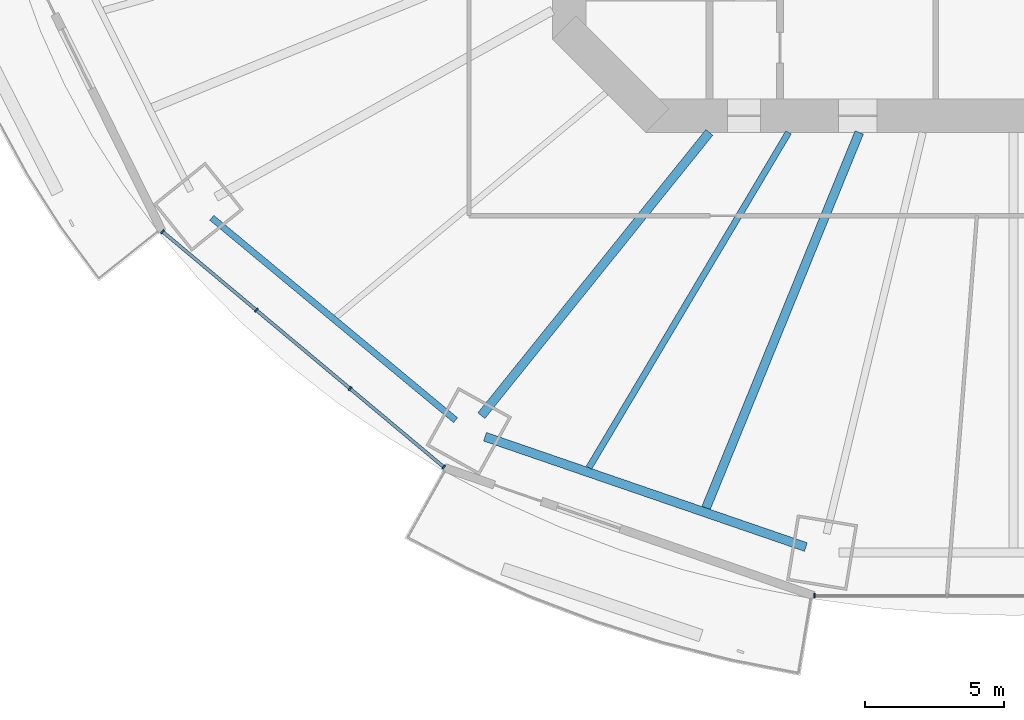
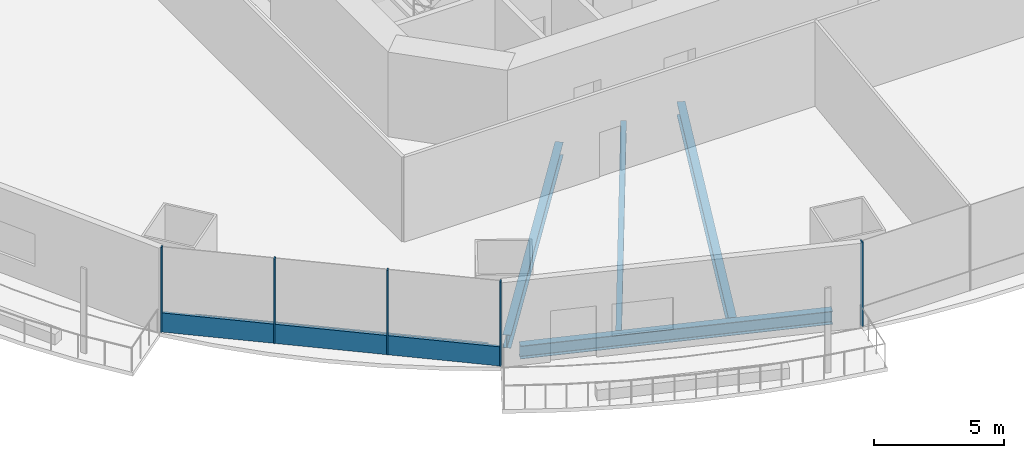
# One storey, part 2 of 23: 6 members, 5 beams, 2 elements without a shape of their own.
"""IFC4 building model written with IfcOpenShell, lengths in metres."""

from ifc_helpers import new_model, si_unit, direction, frame, origin, origin_2d, place, context, subcontext, project, spatial, rectangle, i_section, extrude, material, material_profile, profile_set, type_object, element, aggregate, save


model = new_model("IFC4")

# Units and contexts
model_context = context("Model", 3, precision=1e-05, world=origin(), true_north=direction((0.0, 1.0)))
body_context = subcontext(model_context, "Body", "Model", "MODEL_VIEW")
ifc_project = project(units=[si_unit("LENGTHUNIT", "METRE"), si_unit("AREAUNIT", "SQUARE_METRE"), si_unit("VOLUMEUNIT", "CUBIC_METRE"), si_unit("PLANEANGLEUNIT", "RADIAN"), si_unit("MASSUNIT", "GRAM", prefix="KILO")], contexts=[model_context])

# Site, building, storey
site_placement = place(None, origin())
site = spatial("IfcSite", under=ifc_project, at=site_placement, CompositionType="ELEMENT")
building_placement = place(site_placement, origin())
building = spatial("IfcBuilding", under=site, at=building_placement, Name="Marenthal Gate Tower", CompositionType="ELEMENT")
storey_placement = place(building_placement, frame((0.0, 0.0, 37.14990234375)))
storey = spatial("IfcBuildingStorey", under=building, at=storey_placement, Name="L05", CompositionType="ELEMENT", Elevation=37.14990234375)

# Curtain wall, members
ifc_material_1 = material(Name="Aluminium and glass", Category="aluminium")
curtain_wall_type = type_object("IfcCurtainWallType", Name="Curtain wall typical low", PredefinedType="NOTDEFINED", material=ifc_material_1)
curtain_wall_1_placement = place(storey_placement, origin())
curtain_wall_1 = element("IfcCurtainWall", 1, at=curtain_wall_1_placement, inside=storey, type_object=curtain_wall_type, Name="Curtain wall L05 bay 10", PredefinedType="NOTDEFINED")
ifc_material_2 = material(Name="Aluminium", Category="aluminium")
ifc_material_profile_1 = material_profile(ifc_material_2, rectangle(XDim=0.159912109375, YDim=0.06005859375, at=origin_2d()), Name="60x160 aluminium mullion")
ifc_profile_set_1 = profile_set([ifc_material_profile_1], Name="Aluminium")
member_type_1 = type_object("IfcMemberType", Name="Mullion 60x160 typical low", PredefinedType="MULLION", material=ifc_profile_set_1)
member_1_placement = place(storey_placement, frame((-30.6416015625, -17.17529296875, 0.0), z_axis=(0.0, 0.0, 1.0), x_axis=(0.641982192245, 0.76671954771, 0.0)))
member_1 = element("IfcMember", 2, at=member_1_placement, type_object=member_type_1, Name="Mullion L05 bay 10.1", PredefinedType="MULLION", context=body_context, shape_type="SweptSolid", body=[
    extrude(rectangle(XDim=0.159912109375, YDim=0.06005859375, at=origin_2d()), origin(), (0.0, 0.0, 1.0), 3.97021484375),
])
member_2_placement = place(storey_placement, frame((-27.26513671875, -20.00244140625, 0.0), z_axis=(0.0, 0.0, 1.0), x_axis=(0.641982192245, 0.76671954771, 0.0)))
member_2 = element("IfcMember", 3, at=member_2_placement, type_object=member_type_1, Name="Mullion L05 bay 10.2", PredefinedType="MULLION", context=body_context, shape_type="SweptSolid", body=[
    extrude(rectangle(XDim=0.159912109375, YDim=0.06005859375, at=origin_2d()), origin(), (0.0, 0.0, 1.0), 3.97021484375),
])
member_3_placement = place(storey_placement, frame((-23.888671875, -22.829345703125, 0.0), z_axis=(0.0, 0.0, 1.0), x_axis=(0.641982192245, 0.76671954771, 0.0)))
member_3 = element("IfcMember", 4, at=member_3_placement, type_object=member_type_1, Name="Mullion L05 bay 10.3", PredefinedType="MULLION", context=body_context, shape_type="SweptSolid", body=[
    extrude(rectangle(XDim=0.159912109375, YDim=0.06005859375, at=origin_2d()), origin(), (0.0, 0.0, 1.0), 3.97021484375),
])
member_4_placement = place(storey_placement, frame((-20.512451171875, -25.656494140625, 0.0), z_axis=(0.0, 0.0, 1.0), x_axis=(0.641982192245, 0.76671954771, 0.0)))
member_4 = element("IfcMember", 5, at=member_4_placement, type_object=member_type_1, Name="Mullion L05 bay 10.4", PredefinedType="MULLION", context=body_context, shape_type="SweptSolid", body=[
    extrude(rectangle(XDim=0.159912109375, YDim=0.06005859375, at=origin_2d()), origin(), (0.0, 0.0, 1.0), 3.97021484375),
])

# Curtain wall, member
curtain_wall_2_placement = place(storey_placement, origin())
curtain_wall_2 = element("IfcCurtainWall", 6, at=curtain_wall_2_placement, inside=storey, type_object=curtain_wall_type, Name="Curtain wall L05 bay 12", PredefinedType="NOTDEFINED")
member_5_placement = place(storey_placement, frame((-7.164794921875, -30.28662109375, 0.0), z_axis=(0.0, 0.0, 1.0), x_axis=(0.0, 1.0, 0.0)))
member_5 = element("IfcMember", 7, at=member_5_placement, type_object=member_type_1, Name="Mullion L05 bay 12.1", PredefinedType="MULLION", context=body_context, shape_type="SweptSolid", body=[
    extrude(rectangle(XDim=0.159912109375, YDim=0.06005859375, at=origin_2d()), origin(), (0.0, 0.0, 1.0), 3.97021484375),
])
aggregate(curtain_wall_2, [member_5])

# Member
ifc_material_3 = material(Name="Aluminium", Category="aluminium")
ifc_material_profile_2 = material_profile(ifc_material_3, rectangle(XDim=0.1201171875, YDim=0.89990234375, at=origin_2d()), Name="120x900 aluminium transom")
ifc_profile_set_2 = profile_set([ifc_material_profile_2], Name="Aluminium")
member_type_2 = type_object("IfcMemberType", Name="Transom 120x900 typical low", PredefinedType="USERDEFINED", material=ifc_profile_set_2)
member_6_placement = place(storey_placement, frame((-30.61865234375, -17.194580078125, 0.4501953125), z_axis=(0.766726434385, -0.641973967397, 0.0), x_axis=(0.641973967397, 0.766726434385, 0.0)))
member_6 = element("IfcMember", 8, at=member_6_placement, type_object=member_type_2, Name="Transom L05 bay 10", ObjectType="TRANSOM", PredefinedType="USERDEFINED", context=body_context, shape_type="SweptSolid", body=[
    extrude(rectangle(XDim=0.1201171875, YDim=0.89990234375, at=origin_2d()), origin(), (0.0, 0.0, 1.0), 13.151123046875),
])

aggregate(curtain_wall_1, [member_1, member_2, member_3, member_4, member_6])

# Beams
ifc_material_4 = material(Name="Steel S355", Category="steel")
ifc_material_profile_3 = material_profile(ifc_material_4, i_section(OverallWidth=0.22900390625, OverallDepth=0.612060546875, WebThickness=0.011962890625, FlangeThickness=0.01953125, FilletRadius=0.0126953125, at=origin_2d()), Name="W610X125")
ifc_profile_set_3 = profile_set([ifc_material_profile_3], Name="Steel S355")
beam_type_1 = type_object("IfcBeamType", Name="W610X125 beam", PredefinedType="BEAM", material=ifc_profile_set_3)
beam_1_placement = place(storey_placement, frame((-15.28515625, -25.677734375, -0.48583984375), z_axis=(0.511504014048, 0.859280887494, 0.0), x_axis=(-0.859280887494, 0.511504014048, 0.0)))
element("IfcBeam", 9, at=beam_1_placement, inside=storey, type_object=beam_type_1, Name="BM-L05-32", PredefinedType="BEAM", context=body_context, shape_type="SweptSolid", body=[
    extrude(i_section(OverallWidth=0.22900390625, OverallDepth=0.612060546875, WebThickness=0.011962890625, FlangeThickness=0.01953125, FilletRadius=0.0126953125, at=origin_2d()), origin(), (0.0, 0.0, 1.0), 14.055419921875),
])
beam_2_placement = place(storey_placement, frame((-28.871826171875, -16.67578125, -0.48583984375), z_axis=(0.769467989353, -0.63868537901, 0.0), x_axis=(0.63868537901, 0.769467989353, 0.0)))
element("IfcBeam", 10, at=beam_2_placement, inside=storey, type_object=beam_type_1, Name="BM-L05-50", PredefinedType="BEAM", context=body_context, shape_type="SweptSolid", body=[
    extrude(i_section(OverallWidth=0.22900390625, OverallDepth=0.612060546875, WebThickness=0.011962890625, FlangeThickness=0.01953125, FilletRadius=0.0126953125, at=origin_2d()), origin(), (0.0, 0.0, 1.0), 11.415283203125),
])
ifc_material_5 = material(Name="Steel S355", Category="steel")
ifc_material_profile_4 = material_profile(ifc_material_5, i_section(OverallWidth=0.324951171875, OverallDepth=0.612060546875, WebThickness=0.0126953125, FlangeThickness=0.01904296875, FilletRadius=0.0126953125, at=origin_2d()), Name="W610X155")
ifc_profile_set_4 = profile_set([ifc_material_profile_4], Name="Steel S355")
beam_type_2 = type_object("IfcBeamType", Name="W610X155 beam", PredefinedType="BEAM", material=ifc_profile_set_4)
beam_3_placement = place(storey_placement, frame((-19.161376953125, -23.802978515625, -0.48583984375), z_axis=(0.627069823545, 0.778963052012, 0.0), x_axis=(-0.778963052012, 0.627069823545, 0.0)))
element("IfcBeam", 11, at=beam_3_placement, inside=storey, type_object=beam_type_2, Name="BM-L05-11", PredefinedType="BEAM", context=body_context, shape_type="SweptSolid", body=[
    extrude(i_section(OverallWidth=0.324951171875, OverallDepth=0.612060546875, WebThickness=0.0126953125, FlangeThickness=0.01904296875, FilletRadius=0.0126953125, at=origin_2d()), origin(), (0.0, 0.0, 1.0), 13.09814453125),
])
beam_4_placement = place(storey_placement, frame((-11.06689453125, -27.1279296875, -0.48583984375), z_axis=(0.377734751458, 0.925913849956, 0.0), x_axis=(-0.925913849956, 0.377734751458, 0.0)))
element("IfcBeam", 12, at=beam_4_placement, inside=storey, type_object=beam_type_2, Name="BM-L05-33", PredefinedType="BEAM", context=body_context, shape_type="SweptSolid", body=[
    extrude(i_section(OverallWidth=0.324951171875, OverallDepth=0.612060546875, WebThickness=0.0126953125, FlangeThickness=0.01904296875, FilletRadius=0.0126953125, at=origin_2d()), origin(), (0.0, 0.0, 1.0), 14.6103515625),
])
beam_5_placement = place(storey_placement, frame((-19.028076171875, -24.562744140625, -0.48583984375), z_axis=(0.945669328234, -0.325130007287, 0.0), x_axis=(0.325130007287, 0.945669328234, 0.0)))
element("IfcBeam", 13, at=beam_5_placement, inside=storey, type_object=beam_type_2, Name="BM-L05-51", PredefinedType="BEAM", context=body_context, shape_type="SweptSolid", body=[
    extrude(i_section(OverallWidth=0.324951171875, OverallDepth=0.612060546875, WebThickness=0.0126953125, FlangeThickness=0.01904296875, FilletRadius=0.0126953125, at=origin_2d()), origin(), (0.0, 0.0, 1.0), 12.22314453125),
])

save(model, "model.ifc")
